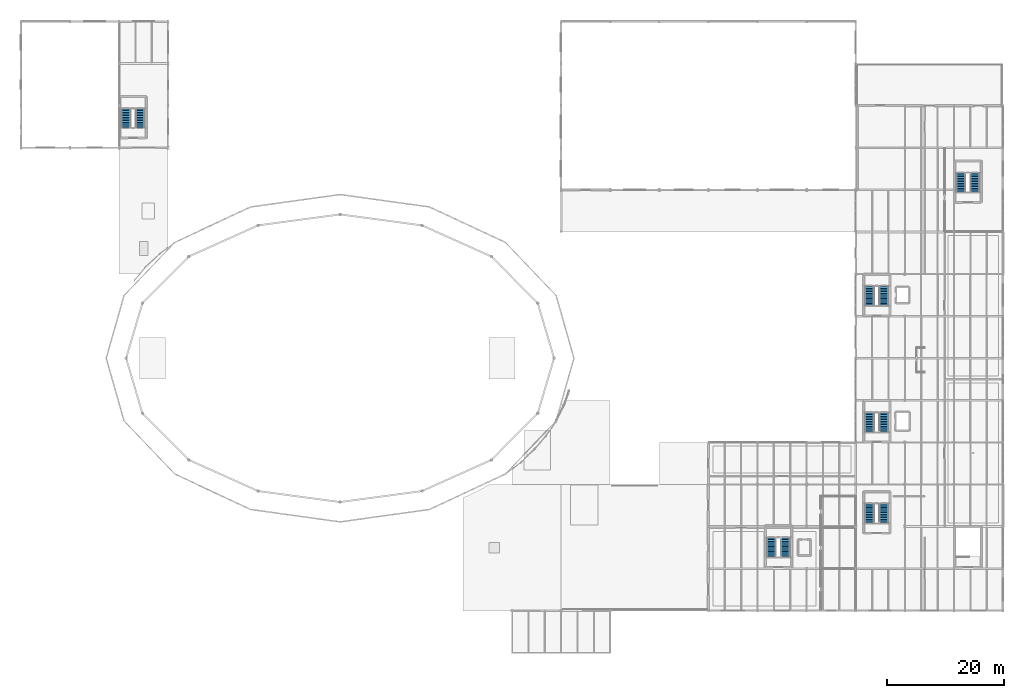
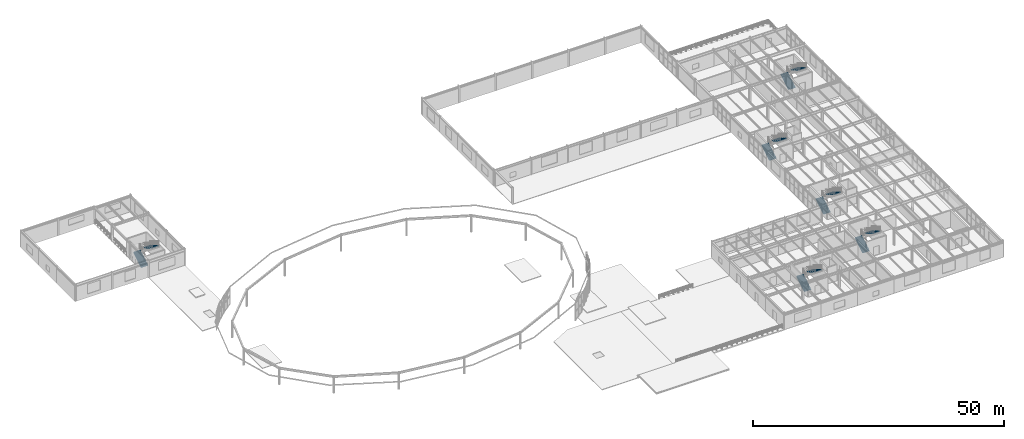
# One storey, part 68 of 73: 12 stair flights, 6 elements without a shape of their own.
"""IFC4 building model written with IfcOpenShell, lengths in metres."""

from ifc_helpers import new_model, si_unit, derived_unit, direction, frame, origin, place, context, subcontext, project, spatial, polyline, outline, extrude, material, type_object, element, aggregate, save


model = new_model("IFC4")

# Units and contexts
model_context = context("Model", 3, precision=1e-05, world=origin(), true_north=direction((0.0, 1.0)))
body_context = subcontext(model_context, "Body", "Model", "MODEL_VIEW")
ifc_project = project(units=[si_unit("LENGTHUNIT", "METRE"), si_unit("AREAUNIT", "SQUARE_METRE"), si_unit("VOLUMEUNIT", "CUBIC_METRE"), si_unit("PLANEANGLEUNIT", "RADIAN"), si_unit("MASSUNIT", "GRAM", prefix="KILO"), derived_unit("THERMALTRANSMITTANCEUNIT", [(si_unit("MASSUNIT", "GRAM", prefix="KILO"), 1), (si_unit("TIMEUNIT", "SECOND"), -3), (si_unit("THERMODYNAMICTEMPERATUREUNIT", "KELVIN"), -1)])], contexts=[model_context])

# Site, building, storey
site_placement = place(None, origin())
site = spatial("IfcSite", under=ifc_project, at=site_placement, CompositionType="ELEMENT")
building_placement = place(site_placement, origin())
building = spatial("IfcBuilding", under=site, at=building_placement, Name="Kharveza Railside Sports Centre", CompositionType="ELEMENT")
storey_placement = place(building_placement, frame((0.0, 0.0, 8.699951171875)))
storey = spatial("IfcBuildingStorey", under=building, at=storey_placement, Name="L02", CompositionType="ELEMENT", Elevation=8.699951171875)

# Stair, stair flights
ifc_material = material(Name="Concrete C35/45", Category="concrete")
stair_type = type_object("IfcStairType", Name="ST-B42", PredefinedType="TWO_STRAIGHT_RUN_STAIR", material=ifc_material)
stair_1_placement = place(storey_placement, origin())
stair_1 = element("IfcStair", 1, at=stair_1_placement, inside=storey, type_object=stair_type, Name="STR-ST1-L02", PredefinedType="TWO_STRAIGHT_RUN_STAIR")
stair_flight_type = type_object("IfcStairFlightType", Name="SF-B12", PredefinedType="STRAIGHT", material=ifc_material)
stair_flight_1_placement = place(storey_placement, frame((145.179931640625, 37.860107421875, 0.0), z_axis=(0.0, 0.0, 1.0), x_axis=(0.0, 1.0, 0.0)))
stair_flight_1 = element("IfcStairFlight", 2, at=stair_flight_1_placement, type_object=stair_flight_type, Name="STR-ST1-L02-FL1", NumberOfRisers=12, NumberOfTreads=11, PredefinedType="STRAIGHT", RiserHeight=0.175, TreadLength=0.29, context=body_context, shape_type="SweptSolid", body=[
    extrude(outline(polyline([(0.0, 0.0), (0.0, 0.175048828125), (0.2900390625, 0.175048828125), (0.2900390625, 0.35009765625), (0.580078125, 0.35009765625), (0.580078125, 0.52490234375), (0.8701171875, 0.52490234375), (0.8701171875, 0.699951171875), (1.159912109375, 0.699951171875), (1.159912109375, 0.875), (1.449951171875, 0.875), (1.449951171875, 1.050048828125), (1.739990234375, 1.050048828125), (1.739990234375, 1.22509765625), (2.030029296875, 1.22509765625), (2.030029296875, 1.39990234375), (2.320068359375, 1.39990234375), (2.320068359375, 1.574951171875), (2.610107421875, 1.574951171875), (2.610107421875, 1.75), (2.89990234375, 1.75), (2.89990234375, 1.925048828125), (3.18994140625, 1.925048828125), (3.18994140625, 2.10009765625), (3.18994140625, 1.73828125), (0.3095703125, 0.0), (0.0, 0.0)])), frame((0.0, 0.800048828125, 0.0), z_axis=(0.0, -1.0, 0.0), x_axis=(1.0, 0.0, 0.0)), (0.0, 0.0, 1.0), 1.60009765625),
])
stair_flight_2_placement = place(storey_placement, frame((147.6201171875, 41.050048828125, 2.10009765625), z_axis=(0.0, 0.0, 1.0), x_axis=(0.0, -1.0, 0.0)))
stair_flight_2 = element("IfcStairFlight", 3, at=stair_flight_2_placement, type_object=stair_flight_type, Name="STR-ST1-L02-FL2", NumberOfRisers=12, NumberOfTreads=11, PredefinedType="STRAIGHT", RiserHeight=0.175, TreadLength=0.29, context=body_context, shape_type="SweptSolid", body=[
    extrude(outline(polyline([(0.0, 0.0), (0.0, 0.175048828125), (0.2900390625, 0.175048828125), (0.2900390625, 0.35009765625), (0.580078125, 0.35009765625), (0.580078125, 0.52490234375), (0.8701171875, 0.52490234375), (0.8701171875, 0.699951171875), (1.159912109375, 0.699951171875), (1.159912109375, 0.875), (1.449951171875, 0.875), (1.449951171875, 1.050048828125), (1.739990234375, 1.050048828125), (1.739990234375, 1.22509765625), (2.030029296875, 1.22509765625), (2.030029296875, 1.39990234375), (2.320068359375, 1.39990234375), (2.320068359375, 1.574951171875), (2.610107421875, 1.574951171875), (2.610107421875, 1.75), (2.89990234375, 1.75), (2.89990234375, 1.925048828125), (3.18994140625, 1.925048828125), (3.18994140625, 2.10009765625), (3.18994140625, 1.73828125), (0.3095703125, 0.0), (0.0, 0.0)])), frame((0.0, 0.800048828125, 0.0), z_axis=(0.0, -1.0, 0.0), x_axis=(1.0, 0.0, 0.0)), (0.0, 0.0, 1.0), 1.60009765625),
])
aggregate(stair_1, [stair_flight_1, stair_flight_2])

stair_2_placement = place(storey_placement, origin())
stair_2 = element("IfcStair", 4, at=stair_2_placement, inside=storey, type_object=stair_type, Name="STR-ST2-L02", PredefinedType="TWO_STRAIGHT_RUN_STAIR")
stair_flight_3_placement = place(storey_placement, frame((145.179931640625, 59.4599609375, 0.0), z_axis=(0.0, 0.0, 1.0), x_axis=(0.0, 1.0, 0.0)))
stair_flight_3 = element("IfcStairFlight", 5, at=stair_flight_3_placement, type_object=stair_flight_type, Name="STR-ST2-L02-FL1", NumberOfRisers=12, NumberOfTreads=11, PredefinedType="STRAIGHT", RiserHeight=0.175, TreadLength=0.29, context=body_context, shape_type="SweptSolid", body=[
    extrude(outline(polyline([(0.0, 0.0), (0.0, 0.175048828125), (0.2900390625, 0.175048828125), (0.2900390625, 0.35009765625), (0.580078125, 0.35009765625), (0.580078125, 0.52490234375), (0.8701171875, 0.52490234375), (0.8701171875, 0.699951171875), (1.159912109375, 0.699951171875), (1.159912109375, 0.875), (1.449951171875, 0.875), (1.449951171875, 1.050048828125), (1.739990234375, 1.050048828125), (1.739990234375, 1.22509765625), (2.030029296875, 1.22509765625), (2.030029296875, 1.39990234375), (2.320068359375, 1.39990234375), (2.320068359375, 1.574951171875), (2.610107421875, 1.574951171875), (2.610107421875, 1.75), (2.89990234375, 1.75), (2.89990234375, 1.925048828125), (3.18994140625, 1.925048828125), (3.18994140625, 2.10009765625), (3.18994140625, 1.73828125), (0.3095703125, 0.0), (0.0, 0.0)])), frame((0.0, 0.800048828125, 0.0), z_axis=(0.0, -1.0, 0.0), x_axis=(1.0, 0.0, 0.0)), (0.0, 0.0, 1.0), 1.60009765625),
])
stair_flight_4_placement = place(storey_placement, frame((147.6201171875, 62.64990234375, 2.10009765625), z_axis=(0.0, 0.0, 1.0), x_axis=(0.0, -1.0, 0.0)))
stair_flight_4 = element("IfcStairFlight", 6, at=stair_flight_4_placement, type_object=stair_flight_type, Name="STR-ST2-L02-FL2", NumberOfRisers=12, NumberOfTreads=11, PredefinedType="STRAIGHT", RiserHeight=0.175, TreadLength=0.29, context=body_context, shape_type="SweptSolid", body=[
    extrude(outline(polyline([(0.0, 0.0), (0.0, 0.175048828125), (0.2900390625, 0.175048828125), (0.2900390625, 0.35009765625), (0.580078125, 0.35009765625), (0.580078125, 0.52490234375), (0.8701171875, 0.52490234375), (0.8701171875, 0.699951171875), (1.159912109375, 0.699951171875), (1.159912109375, 0.875), (1.449951171875, 0.875), (1.449951171875, 1.050048828125), (1.739990234375, 1.050048828125), (1.739990234375, 1.22509765625), (2.030029296875, 1.22509765625), (2.030029296875, 1.39990234375), (2.320068359375, 1.39990234375), (2.320068359375, 1.574951171875), (2.610107421875, 1.574951171875), (2.610107421875, 1.75), (2.89990234375, 1.75), (2.89990234375, 1.925048828125), (3.18994140625, 1.925048828125), (3.18994140625, 2.10009765625), (3.18994140625, 1.73828125), (0.3095703125, 0.0), (0.0, 0.0)])), frame((0.0, 0.800048828125, 0.0), z_axis=(0.0, -1.0, 0.0), x_axis=(1.0, 0.0, 0.0)), (0.0, 0.0, 1.0), 1.60009765625),
])
aggregate(stair_2, [stair_flight_3, stair_flight_4])

stair_3_placement = place(storey_placement, origin())
stair_3 = element("IfcStair", 7, at=stair_3_placement, inside=storey, type_object=stair_type, Name="STR-ST3-L02", PredefinedType="TWO_STRAIGHT_RUN_STAIR")
stair_flight_5_placement = place(storey_placement, frame((128.3798828125, 16.4599609375, 0.0), z_axis=(0.0, 0.0, 1.0), x_axis=(0.0, 1.0, 0.0)))
stair_flight_5 = element("IfcStairFlight", 8, at=stair_flight_5_placement, type_object=stair_flight_type, Name="STR-ST3-L02-FL1", NumberOfRisers=12, NumberOfTreads=11, PredefinedType="STRAIGHT", RiserHeight=0.175, TreadLength=0.29, context=body_context, shape_type="SweptSolid", body=[
    extrude(outline(polyline([(0.0, 0.0), (0.0, 0.175048828125), (0.2900390625, 0.175048828125), (0.2900390625, 0.35009765625), (0.580078125, 0.35009765625), (0.580078125, 0.52490234375), (0.8701171875, 0.52490234375), (0.8701171875, 0.699951171875), (1.159912109375, 0.699951171875), (1.159912109375, 0.875), (1.449951171875, 0.875), (1.449951171875, 1.050048828125), (1.739990234375, 1.050048828125), (1.739990234375, 1.22509765625), (2.030029296875, 1.22509765625), (2.030029296875, 1.39990234375), (2.320068359375, 1.39990234375), (2.320068359375, 1.574951171875), (2.610107421875, 1.574951171875), (2.610107421875, 1.75), (2.89990234375, 1.75), (2.89990234375, 1.925048828125), (3.18994140625, 1.925048828125), (3.18994140625, 2.10009765625), (3.18994140625, 1.73828125), (0.3095703125, 0.0), (0.0, 0.0)])), frame((0.0, 0.800048828125, 0.0), z_axis=(0.0, -1.0, 0.0), x_axis=(1.0, 0.0, 0.0)), (0.0, 0.0, 1.0), 1.60009765625),
])
stair_flight_6_placement = place(storey_placement, frame((130.820068359375, 19.64990234375, 2.10009765625), z_axis=(0.0, 0.0, 1.0), x_axis=(0.0, -1.0, 0.0)))
stair_flight_6 = element("IfcStairFlight", 9, at=stair_flight_6_placement, type_object=stair_flight_type, Name="STR-ST3-L02-FL2", NumberOfRisers=12, NumberOfTreads=11, PredefinedType="STRAIGHT", RiserHeight=0.175, TreadLength=0.29, context=body_context, shape_type="SweptSolid", body=[
    extrude(outline(polyline([(0.0, 0.0), (0.0, 0.175048828125), (0.2900390625, 0.175048828125), (0.2900390625, 0.35009765625), (0.580078125, 0.35009765625), (0.580078125, 0.52490234375), (0.8701171875, 0.52490234375), (0.8701171875, 0.699951171875), (1.159912109375, 0.699951171875), (1.159912109375, 0.875), (1.449951171875, 0.875), (1.449951171875, 1.050048828125), (1.739990234375, 1.050048828125), (1.739990234375, 1.22509765625), (2.030029296875, 1.22509765625), (2.030029296875, 1.39990234375), (2.320068359375, 1.39990234375), (2.320068359375, 1.574951171875), (2.610107421875, 1.574951171875), (2.610107421875, 1.75), (2.89990234375, 1.75), (2.89990234375, 1.925048828125), (3.18994140625, 1.925048828125), (3.18994140625, 2.10009765625), (3.18994140625, 1.73828125), (0.3095703125, 0.0), (0.0, 0.0)])), frame((0.0, 0.800048828125, 0.0), z_axis=(0.0, -1.0, 0.0), x_axis=(1.0, 0.0, 0.0)), (0.0, 0.0, 1.0), 1.60009765625),
])
aggregate(stair_3, [stair_flight_5, stair_flight_6])

stair_4_placement = place(storey_placement, origin())
stair_4 = element("IfcStair", 10, at=stair_4_placement, inside=storey, type_object=stair_type, Name="STR-ST4-L02", PredefinedType="TWO_STRAIGHT_RUN_STAIR")
stair_flight_7_placement = place(storey_placement, frame((160.780029296875, 78.860107421875, 0.0), z_axis=(0.0, 0.0, 1.0), x_axis=(0.0, 1.0, 0.0)))
stair_flight_7 = element("IfcStairFlight", 11, at=stair_flight_7_placement, type_object=stair_flight_type, Name="STR-ST4-L02-FL1", NumberOfRisers=12, NumberOfTreads=11, PredefinedType="STRAIGHT", RiserHeight=0.175, TreadLength=0.29, context=body_context, shape_type="SweptSolid", body=[
    extrude(outline(polyline([(0.0, 0.0), (0.0, 0.175048828125), (0.2900390625, 0.175048828125), (0.2900390625, 0.35009765625), (0.580078125, 0.35009765625), (0.580078125, 0.52490234375), (0.8701171875, 0.52490234375), (0.8701171875, 0.699951171875), (1.159912109375, 0.699951171875), (1.159912109375, 0.875), (1.449951171875, 0.875), (1.449951171875, 1.050048828125), (1.739990234375, 1.050048828125), (1.739990234375, 1.22509765625), (2.030029296875, 1.22509765625), (2.030029296875, 1.39990234375), (2.320068359375, 1.39990234375), (2.320068359375, 1.574951171875), (2.610107421875, 1.574951171875), (2.610107421875, 1.75), (2.89990234375, 1.75), (2.89990234375, 1.925048828125), (3.18994140625, 1.925048828125), (3.18994140625, 2.10009765625), (3.18994140625, 1.73828125), (0.3095703125, 0.0), (0.0, 0.0)])), frame((0.0, 0.800048828125, 0.0), z_axis=(0.0, -1.0, 0.0), x_axis=(1.0, 0.0, 0.0)), (0.0, 0.0, 1.0), 1.60009765625),
])
stair_flight_8_placement = place(storey_placement, frame((163.219970703125, 82.050048828125, 2.10009765625), z_axis=(0.0, 0.0, 1.0), x_axis=(0.0, -1.0, 0.0)))
stair_flight_8 = element("IfcStairFlight", 12, at=stair_flight_8_placement, type_object=stair_flight_type, Name="STR-ST4-L02-FL2", NumberOfRisers=12, NumberOfTreads=11, PredefinedType="STRAIGHT", RiserHeight=0.175, TreadLength=0.29, context=body_context, shape_type="SweptSolid", body=[
    extrude(outline(polyline([(0.0, 0.0), (0.0, 0.175048828125), (0.2900390625, 0.175048828125), (0.2900390625, 0.35009765625), (0.580078125, 0.35009765625), (0.580078125, 0.52490234375), (0.8701171875, 0.52490234375), (0.8701171875, 0.699951171875), (1.159912109375, 0.699951171875), (1.159912109375, 0.875), (1.449951171875, 0.875), (1.449951171875, 1.050048828125), (1.739990234375, 1.050048828125), (1.739990234375, 1.22509765625), (2.030029296875, 1.22509765625), (2.030029296875, 1.39990234375), (2.320068359375, 1.39990234375), (2.320068359375, 1.574951171875), (2.610107421875, 1.574951171875), (2.610107421875, 1.75), (2.89990234375, 1.75), (2.89990234375, 1.925048828125), (3.18994140625, 1.925048828125), (3.18994140625, 2.10009765625), (3.18994140625, 1.73828125), (0.3095703125, 0.0), (0.0, 0.0)])), frame((0.0, 0.800048828125, 0.0), z_axis=(0.0, -1.0, 0.0), x_axis=(1.0, 0.0, 0.0)), (0.0, 0.0, 1.0), 1.60009765625),
])
aggregate(stair_4, [stair_flight_7, stair_flight_8])

stair_5_placement = place(storey_placement, origin())
stair_5 = element("IfcStair", 13, at=stair_5_placement, inside=storey, type_object=stair_type, Name="STR-ST5-L02", PredefinedType="TWO_STRAIGHT_RUN_STAIR")
stair_flight_9_placement = place(storey_placement, frame((145.179931640625, 22.260009765625, 0.0), z_axis=(0.0, 0.0, 1.0), x_axis=(0.0, 1.0, 0.0)))
stair_flight_9 = element("IfcStairFlight", 14, at=stair_flight_9_placement, type_object=stair_flight_type, Name="STR-ST5-L02-FL1", NumberOfRisers=12, NumberOfTreads=11, PredefinedType="STRAIGHT", RiserHeight=0.175, TreadLength=0.29, context=body_context, shape_type="SweptSolid", body=[
    extrude(outline(polyline([(0.0, 0.0), (0.0, 0.175048828125), (0.2900390625, 0.175048828125), (0.2900390625, 0.35009765625), (0.580078125, 0.35009765625), (0.580078125, 0.52490234375), (0.8701171875, 0.52490234375), (0.8701171875, 0.699951171875), (1.159912109375, 0.699951171875), (1.159912109375, 0.875), (1.449951171875, 0.875), (1.449951171875, 1.050048828125), (1.739990234375, 1.050048828125), (1.739990234375, 1.22509765625), (2.030029296875, 1.22509765625), (2.030029296875, 1.39990234375), (2.320068359375, 1.39990234375), (2.320068359375, 1.574951171875), (2.610107421875, 1.574951171875), (2.610107421875, 1.75), (2.89990234375, 1.75), (2.89990234375, 1.925048828125), (3.18994140625, 1.925048828125), (3.18994140625, 2.10009765625), (3.18994140625, 1.73828125), (0.3095703125, 0.0), (0.0, 0.0)])), frame((0.0, 0.800048828125, 0.0), z_axis=(0.0, -1.0, 0.0), x_axis=(1.0, 0.0, 0.0)), (0.0, 0.0, 1.0), 1.60009765625),
])
stair_flight_10_placement = place(storey_placement, frame((147.6201171875, 25.449951171875, 2.10009765625), z_axis=(0.0, 0.0, 1.0), x_axis=(0.0, -1.0, 0.0)))
stair_flight_10 = element("IfcStairFlight", 15, at=stair_flight_10_placement, type_object=stair_flight_type, Name="STR-ST5-L02-FL2", NumberOfRisers=12, NumberOfTreads=11, PredefinedType="STRAIGHT", RiserHeight=0.175, TreadLength=0.29, context=body_context, shape_type="SweptSolid", body=[
    extrude(outline(polyline([(0.0, 0.0), (0.0, 0.175048828125), (0.2900390625, 0.175048828125), (0.2900390625, 0.35009765625), (0.580078125, 0.35009765625), (0.580078125, 0.52490234375), (0.8701171875, 0.52490234375), (0.8701171875, 0.699951171875), (1.159912109375, 0.699951171875), (1.159912109375, 0.875), (1.449951171875, 0.875), (1.449951171875, 1.050048828125), (1.739990234375, 1.050048828125), (1.739990234375, 1.22509765625), (2.030029296875, 1.22509765625), (2.030029296875, 1.39990234375), (2.320068359375, 1.39990234375), (2.320068359375, 1.574951171875), (2.610107421875, 1.574951171875), (2.610107421875, 1.75), (2.89990234375, 1.75), (2.89990234375, 1.925048828125), (3.18994140625, 1.925048828125), (3.18994140625, 2.10009765625), (3.18994140625, 1.73828125), (0.3095703125, 0.0), (0.0, 0.0)])), frame((0.0, 0.800048828125, 0.0), z_axis=(0.0, -1.0, 0.0), x_axis=(1.0, 0.0, 0.0)), (0.0, 0.0, 1.0), 1.60009765625),
])
aggregate(stair_5, [stair_flight_9, stair_flight_10])

stair_6_placement = place(storey_placement, origin())
stair_6 = element("IfcStair", 16, at=stair_6_placement, inside=storey, type_object=stair_type, Name="STR-ST6-L02", PredefinedType="TWO_STRAIGHT_RUN_STAIR")
stair_flight_11_placement = place(storey_placement, frame((17.97998046875, 89.860107421875, 0.0), z_axis=(0.0, 0.0, 1.0), x_axis=(0.0, 1.0, 0.0)))
stair_flight_11 = element("IfcStairFlight", 17, at=stair_flight_11_placement, type_object=stair_flight_type, Name="STR-ST6-L02-FL1", NumberOfRisers=12, NumberOfTreads=11, PredefinedType="STRAIGHT", RiserHeight=0.175, TreadLength=0.29, context=body_context, shape_type="SweptSolid", body=[
    extrude(outline(polyline([(0.0, 0.0), (0.0, 0.175048828125), (0.2900390625, 0.175048828125), (0.2900390625, 0.35009765625), (0.580078125, 0.35009765625), (0.580078125, 0.52490234375), (0.8701171875, 0.52490234375), (0.8701171875, 0.699951171875), (1.159912109375, 0.699951171875), (1.159912109375, 0.875), (1.449951171875, 0.875), (1.449951171875, 1.050048828125), (1.739990234375, 1.050048828125), (1.739990234375, 1.22509765625), (2.030029296875, 1.22509765625), (2.030029296875, 1.39990234375), (2.320068359375, 1.39990234375), (2.320068359375, 1.574951171875), (2.610107421875, 1.574951171875), (2.610107421875, 1.75), (2.89990234375, 1.75), (2.89990234375, 1.925048828125), (3.18994140625, 1.925048828125), (3.18994140625, 2.10009765625), (3.18994140625, 1.73828125), (0.3095703125, 0.0), (0.0, 0.0)])), frame((0.0, 0.800048828125, 0.0), z_axis=(0.0, -1.0, 0.0), x_axis=(1.0, 0.0, 0.0)), (0.0, 0.0, 1.0), 1.60009765625),
])
stair_flight_12_placement = place(storey_placement, frame((20.419921875, 93.050048828125, 2.10009765625), z_axis=(0.0, 0.0, 1.0), x_axis=(0.0, -1.0, 0.0)))
stair_flight_12 = element("IfcStairFlight", 18, at=stair_flight_12_placement, type_object=stair_flight_type, Name="STR-ST6-L02-FL2", NumberOfRisers=12, NumberOfTreads=11, PredefinedType="STRAIGHT", RiserHeight=0.175, TreadLength=0.29, context=body_context, shape_type="SweptSolid", body=[
    extrude(outline(polyline([(0.0, 0.0), (0.0, 0.175048828125), (0.2900390625, 0.175048828125), (0.2900390625, 0.35009765625), (0.580078125, 0.35009765625), (0.580078125, 0.52490234375), (0.8701171875, 0.52490234375), (0.8701171875, 0.699951171875), (1.159912109375, 0.699951171875), (1.159912109375, 0.875), (1.449951171875, 0.875), (1.449951171875, 1.050048828125), (1.739990234375, 1.050048828125), (1.739990234375, 1.22509765625), (2.030029296875, 1.22509765625), (2.030029296875, 1.39990234375), (2.320068359375, 1.39990234375), (2.320068359375, 1.574951171875), (2.610107421875, 1.574951171875), (2.610107421875, 1.75), (2.89990234375, 1.75), (2.89990234375, 1.925048828125), (3.18994140625, 1.925048828125), (3.18994140625, 2.10009765625), (3.18994140625, 1.73828125), (0.3095703125, 0.0), (0.0, 0.0)])), frame((0.0, 0.800048828125, 0.0), z_axis=(0.0, -1.0, 0.0), x_axis=(1.0, 0.0, 0.0)), (0.0, 0.0, 1.0), 1.60009765625),
])
aggregate(stair_6, [stair_flight_11, stair_flight_12])

save(model, "model.ifc")
